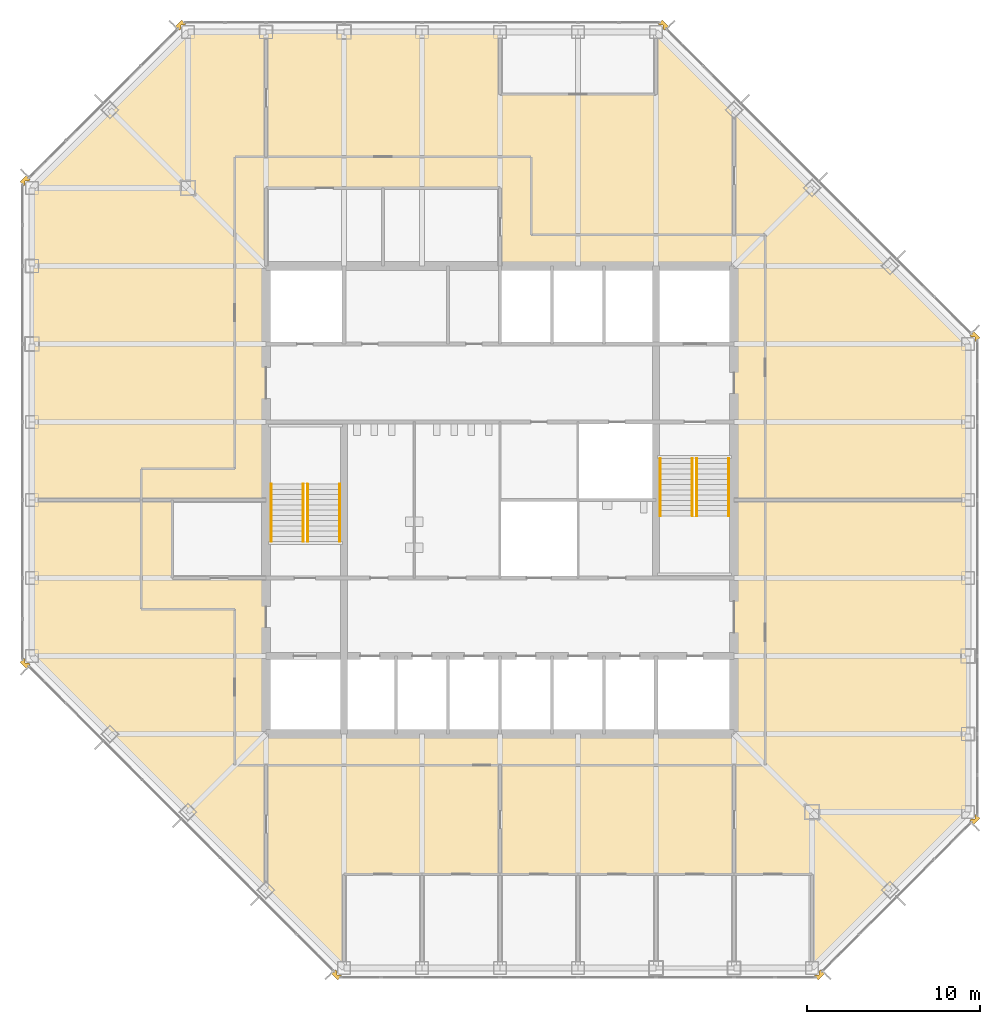
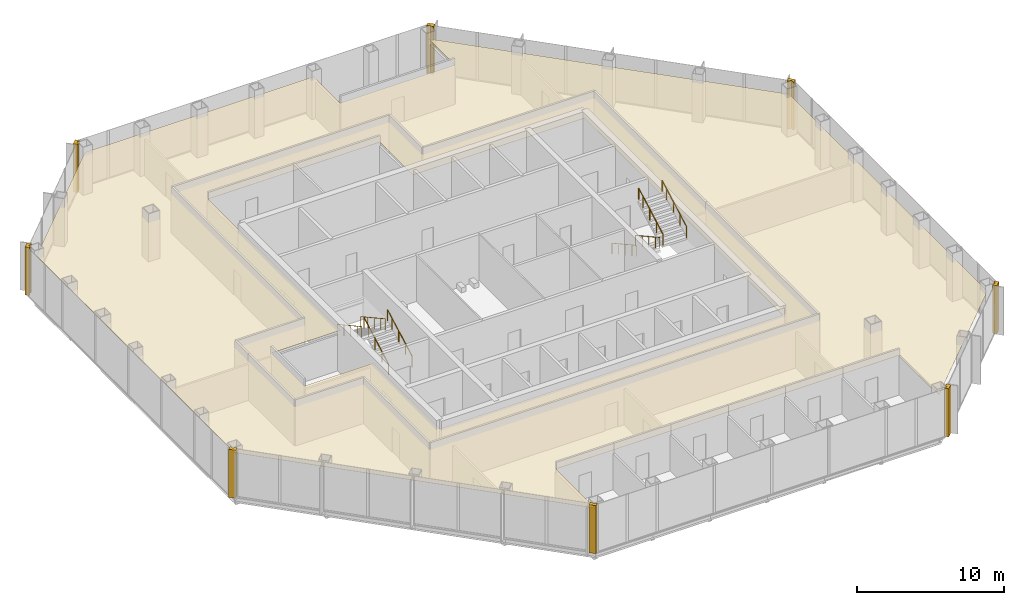
# One storey, part 11 of 12: 9 coverings, 8 railings.
"""IFC4 building model written with IfcOpenShell, lengths in metres."""

from ifc_helpers import new_model, si_unit, direction, frame, origin, origin_2d, place, context, subcontext, project, spatial, polyline, circle, outline, extrude, material, layer, layer_set, type_object, element, save


model = new_model("IFC4")

# Units and contexts
model_context = context("Model", 3, precision=1e-05, world=origin(), true_north=direction((0.0, 1.0)))
body_context = subcontext(model_context, "Body", "Model", "MODEL_VIEW")
ifc_project = project(units=[si_unit("LENGTHUNIT", "METRE"), si_unit("AREAUNIT", "SQUARE_METRE"), si_unit("VOLUMEUNIT", "CUBIC_METRE"), si_unit("PLANEANGLEUNIT", "RADIAN"), si_unit("MASSUNIT", "GRAM", prefix="KILO")], contexts=[model_context])

# Site, building, storey
site_placement = place(None, origin())
site = spatial("IfcSite", under=ifc_project, at=site_placement, CompositionType="ELEMENT")
building_placement = place(site_placement, origin())
building = spatial("IfcBuilding", under=site, at=building_placement, Name="Corais Broadcast Tower", CompositionType="ELEMENT")
storey_placement = place(building_placement, frame((0.0, 0.0, 147.60009765625)))
storey = spatial("IfcBuildingStorey", under=building, at=storey_placement, Name="L33", CompositionType="ELEMENT", Elevation=147.60009765625)

# Railings
ifc_material_1 = material(Name="Stainless steel handrail", Category="steel")
railing_type = type_object("IfcRailingType", Name="Handrail 920", PredefinedType="HANDRAIL", material=ifc_material_1)
for number, where, name in (
    (1, (17.75, 24.60009765625, 0.16650390625), "HR1 L33"),
    (2, (15.89990234375, 24.60009765625, 0.16650390625), "HR1 L33"),
):
    element("IfcRailing", number, at=place(storey_placement, frame(where)), inside=storey, type_object=railing_type, Name=name, PredefinedType="HANDRAIL", context=body_context, shape_type="SweptSolid", body=[
        extrude(circle(Radius=0.02392578125, at=origin_2d()), frame((0.0, 0.0, 0.89599609375), z_axis=(0.0, 0.875504475178, 0.483210010185), x_axis=(-1.0, 0.0, 0.0)), (0.0, 0.0, 1.0), 3.79443359375),
        extrude(circle(Radius=0.02099609375, at=origin_2d()), origin(), (0.0, 0.0, 1.0), 0.871826171875),
        extrude(circle(Radius=0.02099609375, at=origin_2d()), frame((0.0, 0.906005859375, 0.5)), (0.0, 0.0, 1.0), 0.871826171875),
        extrude(circle(Radius=0.02099609375, at=origin_2d()), frame((0.0, 1.81201171875, 1.0)), (0.0, 0.0, 1.0), 0.871826171875),
        extrude(circle(Radius=0.02099609375, at=origin_2d()), frame((0.0, 2.718017578125, 1.500244140625)), (0.0, 0.0, 1.0), 0.871826171875),
        extrude(circle(Radius=0.02099609375, at=origin_2d()), frame((0.0, 3.322021484375, 1.83349609375)), (0.0, 0.0, 1.0), 0.871826171875),
    ])
for number, where, name in (
    (3, (13.800048828125, 27.922119140625, 2.16650390625), "HR1 L33"),
    (4, (15.64990234375, 27.922119140625, 2.16650390625), "HR1 L33"),
    (5, (36.25, 29.39990234375, 0.16650390625), "HR1 L33"),
    (6, (38.10009765625, 29.39990234375, 0.16650390625), "HR1 L33"),
):
    element("IfcRailing", number, at=place(storey_placement, frame(where)), inside=storey, type_object=railing_type, Name=name, PredefinedType="HANDRAIL", context=body_context, shape_type="SweptSolid", body=[
        extrude(circle(Radius=0.02392578125, at=origin_2d()), frame((0.0, 0.0, 0.89599609375), z_axis=(0.0, -0.875504475178, 0.483210010185), x_axis=(1.0, 0.0, 0.0)), (0.0, 0.0, 1.0), 3.79443359375),
        extrude(circle(Radius=0.02099609375, at=origin_2d()), origin(), (0.0, 0.0, 1.0), 0.871826171875),
        extrude(circle(Radius=0.02099609375, at=origin_2d()), frame((0.0, -0.906005859375, 0.5)), (0.0, 0.0, 1.0), 0.871826171875),
        extrude(circle(Radius=0.02099609375, at=origin_2d()), frame((0.0, -1.81201171875, 1.0)), (0.0, 0.0, 1.0), 0.871826171875),
        extrude(circle(Radius=0.02099609375, at=origin_2d()), frame((0.0, -2.718017578125, 1.500244140625)), (0.0, 0.0, 1.0), 0.871826171875),
        extrude(circle(Radius=0.02099609375, at=origin_2d()), frame((0.0, -3.322021484375, 1.83349609375)), (0.0, 0.0, 1.0), 0.871826171875),
    ])
for number, where, name in (
    (7, (40.199951171875, 26.077880859375, 2.16650390625), "HR1 L33"),
    (8, (38.35009765625, 26.077880859375, 2.16650390625), "HR1 L33"),
):
    element("IfcRailing", number, at=place(storey_placement, frame(where)), inside=storey, type_object=railing_type, Name=name, PredefinedType="HANDRAIL", context=body_context, shape_type="SweptSolid", body=[
        extrude(circle(Radius=0.02392578125, at=origin_2d()), frame((0.0, 0.0, 0.89599609375), z_axis=(0.0, 0.875504475178, 0.483210010185), x_axis=(-1.0, 0.0, 0.0)), (0.0, 0.0, 1.0), 3.79443359375),
        extrude(circle(Radius=0.02099609375, at=origin_2d()), origin(), (0.0, 0.0, 1.0), 0.871826171875),
        extrude(circle(Radius=0.02099609375, at=origin_2d()), frame((0.0, 0.906005859375, 0.5)), (0.0, 0.0, 1.0), 0.871826171875),
        extrude(circle(Radius=0.02099609375, at=origin_2d()), frame((0.0, 1.81201171875, 1.0)), (0.0, 0.0, 1.0), 0.871826171875),
        extrude(circle(Radius=0.02099609375, at=origin_2d()), frame((0.0, 2.718017578125, 1.500244140625)), (0.0, 0.0, 1.0), 0.871826171875),
        extrude(circle(Radius=0.02099609375, at=origin_2d()), frame((0.0, 3.322021484375, 1.83349609375)), (0.0, 0.0, 1.0), 0.871826171875),
    ])

# Coverings
ifc_material_2 = material(Name="Granite stone cladding", Category="masonry")
ifc_layer_1 = layer(ifc_material_2, 0.324951171875)
ifc_layer_set_1 = layer_set([ifc_layer_1], Name="Granite stone cladding")
covering_type_1 = type_object("IfcCoveringType", Name="Stone corner pier cladding 500x325", PredefinedType="CLADDING", material=ifc_layer_set_1)
covering_1_placement = place(storey_placement, origin())
element("IfcCovering", 9, at=covering_1_placement, inside=storey, type_object=covering_type_1, Name="SP1 stone corner pier L33", PredefinedType="CLADDING", context=body_context, shape_type="SweptSolid", body=[
    extrude(outline(polyline([(17.860595703125, -0.461669921875), (17.799072265625, -0.39990234375), (17.60009765625, -0.39990234375), (17.60009765625, -0.200927734375), (17.507080078125, -0.108154296875), (17.277099609375, -0.337890625), (17.630859375, -0.69140625), (17.860595703125, -0.461669921875)])), origin(), (0.0, 0.0, 1.0), 4.0),
])
covering_2_placement = place(storey_placement, origin())
element("IfcCovering", 10, at=covering_2_placement, inside=storey, type_object=covering_type_1, Name="SP1 stone corner pier L33", PredefinedType="CLADDING", context=body_context, shape_type="SweptSolid", body=[
    extrude(outline(polyline([(-0.39990234375, 17.799072265625), (-0.461669921875, 17.860595703125), (-0.69140625, 17.630859375), (-0.337890625, 17.277099609375), (-0.108154296875, 17.507080078125), (-0.200927734375, 17.60009765625), (-0.39990234375, 17.60009765625), (-0.39990234375, 17.799072265625)])), origin(), (0.0, 0.0, 1.0), 4.0),
])
covering_3_placement = place(storey_placement, origin())
element("IfcCovering", 11, at=covering_3_placement, inside=storey, type_object=covering_type_1, Name="SP1 stone corner pier L33", PredefinedType="CLADDING", context=body_context, shape_type="SweptSolid", body=[
    extrude(outline(polyline([(-0.461669921875, 45.139404296875), (-0.39990234375, 45.200927734375), (-0.39990234375, 45.39990234375), (-0.200927734375, 45.39990234375), (-0.108154296875, 45.492919921875), (-0.337890625, 45.722900390625), (-0.69140625, 45.369140625), (-0.461669921875, 45.139404296875)])), origin(), (0.0, 0.0, 1.0), 4.0),
])
covering_4_placement = place(storey_placement, origin())
element("IfcCovering", 12, at=covering_4_placement, inside=storey, type_object=covering_type_1, Name="SP1 stone corner pier L33", PredefinedType="CLADDING", context=body_context, shape_type="SweptSolid", body=[
    extrude(outline(polyline([(8.799072265625, 54.39990234375), (8.860595703125, 54.461669921875), (8.630859375, 54.69140625), (8.277099609375, 54.337890625), (8.507080078125, 54.108154296875), (8.60009765625, 54.200927734375), (8.60009765625, 54.39990234375), (8.799072265625, 54.39990234375)])), origin(), (0.0, 0.0, 1.0), 4.0),
])
covering_5_placement = place(storey_placement, origin())
element("IfcCovering", 13, at=covering_5_placement, inside=storey, type_object=covering_type_1, Name="SP1 stone corner pier L33", PredefinedType="CLADDING", context=body_context, shape_type="SweptSolid", body=[
    extrude(outline(polyline([(36.139404296875, 54.461669921875), (36.200927734375, 54.39990234375), (36.39990234375, 54.39990234375), (36.39990234375, 54.200927734375), (36.492919921875, 54.108154296875), (36.722900390625, 54.337890625), (36.369140625, 54.69140625), (36.139404296875, 54.461669921875)])), origin(), (0.0, 0.0, 1.0), 4.0),
])
covering_6_placement = place(storey_placement, origin())
element("IfcCovering", 14, at=covering_6_placement, inside=storey, type_object=covering_type_1, Name="SP1 stone corner pier L33", PredefinedType="CLADDING", context=body_context, shape_type="SweptSolid", body=[
    extrude(outline(polyline([(54.39990234375, 36.200927734375), (54.461669921875, 36.139404296875), (54.69140625, 36.369140625), (54.337890625, 36.722900390625), (54.108154296875, 36.492919921875), (54.200927734375, 36.39990234375), (54.39990234375, 36.39990234375), (54.39990234375, 36.200927734375)])), origin(), (0.0, 0.0, 1.0), 4.0),
])
covering_7_placement = place(storey_placement, origin())
element("IfcCovering", 15, at=covering_7_placement, inside=storey, type_object=covering_type_1, Name="SP1 stone corner pier L33", PredefinedType="CLADDING", context=body_context, shape_type="SweptSolid", body=[
    extrude(outline(polyline([(54.461669921875, 8.860595703125), (54.39990234375, 8.799072265625), (54.39990234375, 8.60009765625), (54.200927734375, 8.60009765625), (54.108154296875, 8.507080078125), (54.337890625, 8.277099609375), (54.69140625, 8.630859375), (54.461669921875, 8.860595703125)])), origin(), (0.0, 0.0, 1.0), 4.0),
])
covering_8_placement = place(storey_placement, origin())
element("IfcCovering", 16, at=covering_8_placement, inside=storey, type_object=covering_type_1, Name="SP1 stone corner pier L33", PredefinedType="CLADDING", context=body_context, shape_type="SweptSolid", body=[
    extrude(outline(polyline([(45.200927734375, -0.39990234375), (45.139404296875, -0.461669921875), (45.369140625, -0.69140625), (45.722900390625, -0.337890625), (45.492919921875, -0.108154296875), (45.39990234375, -0.200927734375), (45.39990234375, -0.39990234375), (45.200927734375, -0.39990234375)])), origin(), (0.0, 0.0, 1.0), 4.0),
])
ifc_material_3 = material(Name="Mineral fibre ceiling tile", Category="mineral")
ifc_layer_2 = layer(ifc_material_3, 0.02001953125)
ifc_layer_set_2 = layer_set([ifc_layer_2], Name="Mineral fibre ceiling tile")
covering_type_2 = type_object("IfcCoveringType", Name="Suspended ceiling", PredefinedType="CEILING", material=ifc_layer_set_2)
covering_9_placement = place(storey_placement, frame((0.0, 0.0, 3.219970703125)))
element("IfcCovering", 17, at=covering_9_placement, inside=storey, type_object=covering_type_2, Name="CE1 ceiling L33", PredefinedType="CEILING", context=body_context, shape_type="SweptSolid", body=[
    extrude(outline(polyline([(18.0, 0.0), (13.501708984375, 4.498291015625), (13.499755859375, 4.500244140625), (0.0, 18.0), (0.0, 45.0), (9.0, 54.0), (27.0, 54.0), (27.0, 50.39990234375), (36.0, 50.39990234375), (36.0, 54.0), (54.0, 36.0), (54.0, 9.0), (45.0, 0.0), (45.0, 5.39990234375), (18.0, 5.39990234375), (18.0, 0.0)]), holes=[polyline([(13.5, 13.5), (40.5, 13.5), (40.5, 40.5), (27.0, 40.5), (27.0, 45.0), (13.5, 45.0), (13.5, 27.00048828125), (8.10009765625, 27.00048828125), (8.10009765625, 22.5), (13.5, 22.5), (13.5, 13.5)])]), origin(), (0.0, 0.0, 1.0), 0.02001953125),
])

save(model, "model.ifc")
